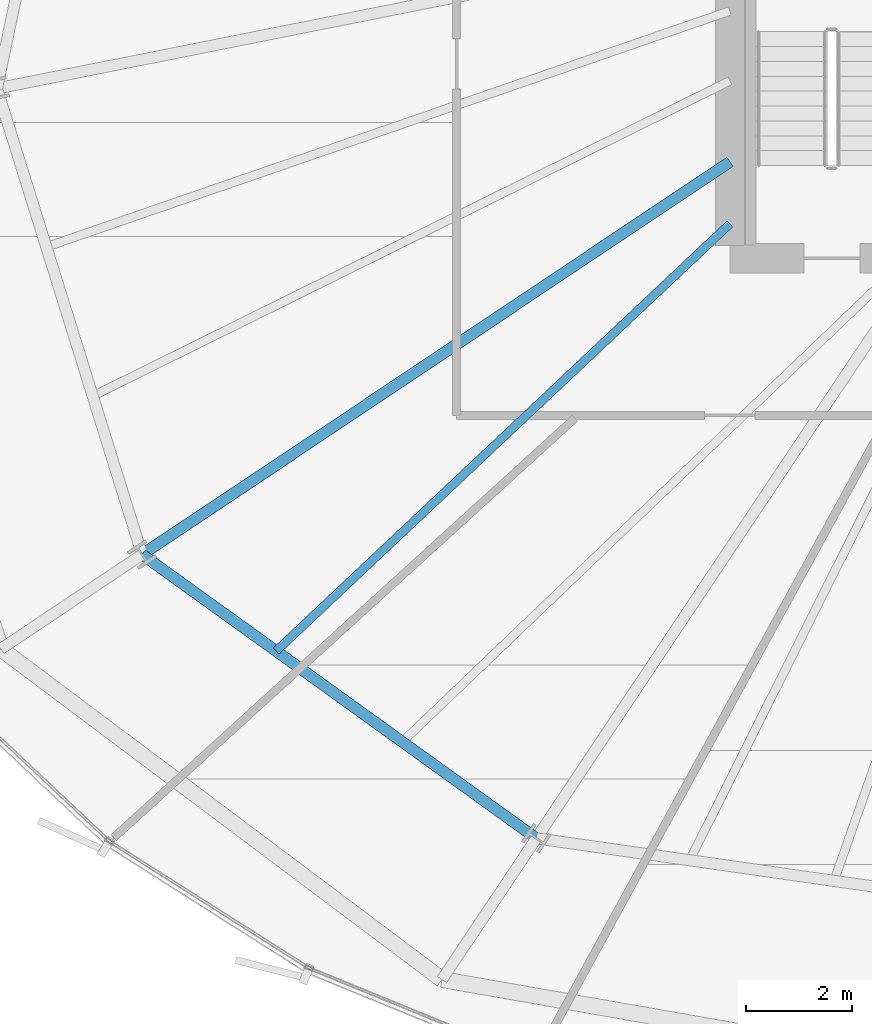
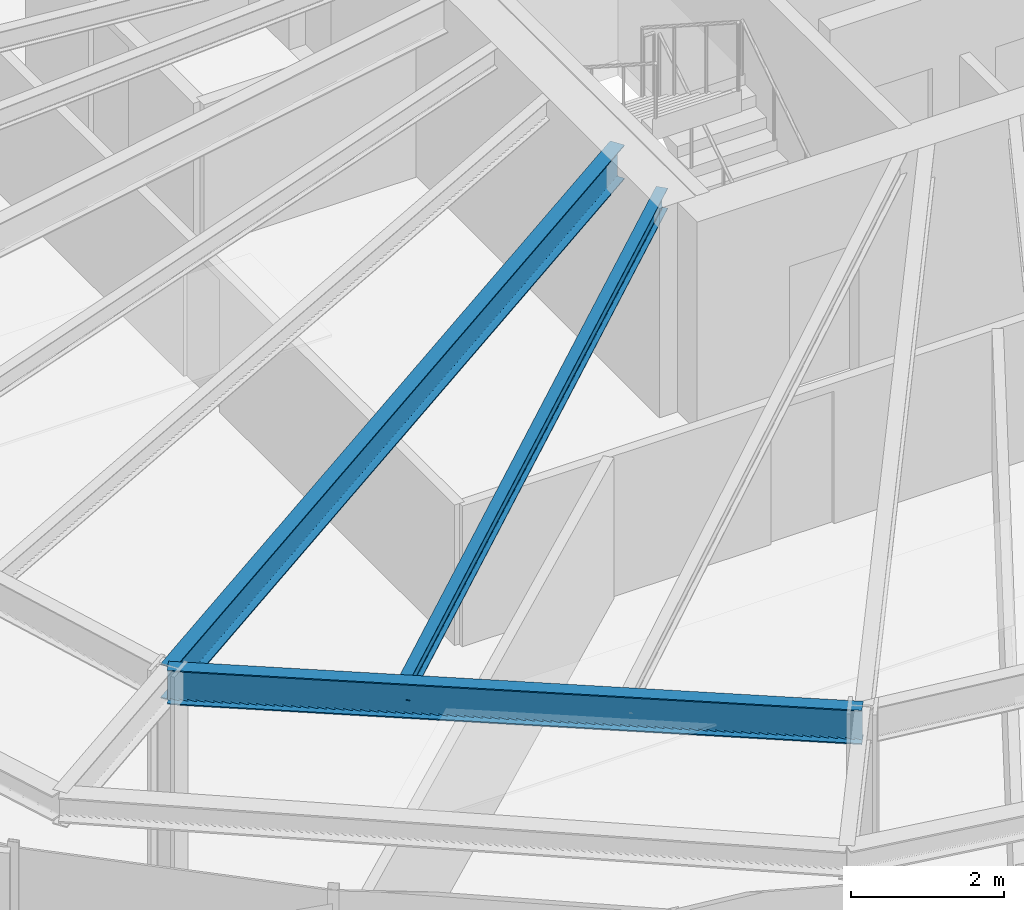
# One storey, part 4 of 35: 3 beams.
"""IFC4 building model written with IfcOpenShell, lengths in metres."""

from ifc_helpers import new_model, si_unit, direction, frame, origin, origin_2d, place, context, subcontext, project, spatial, i_section, extrude, source, transform, mapped, material, material_profile, profile_set, type_object, element, save


model = new_model("IFC4")

# Units and contexts
model_context = context("Model", 3, precision=1e-05, world=origin(), true_north=direction((0.0, 1.0)))
body_context = subcontext(model_context, "Body", "Model", "MODEL_VIEW")
ifc_project = project(units=[si_unit("LENGTHUNIT", "METRE"), si_unit("AREAUNIT", "SQUARE_METRE"), si_unit("VOLUMEUNIT", "CUBIC_METRE"), si_unit("PLANEANGLEUNIT", "RADIAN"), si_unit("MASSUNIT", "GRAM", prefix="KILO"), si_unit("THERMODYNAMICTEMPERATUREUNIT", "KELVIN")], contexts=[model_context])

# Site, building, storey
site_placement = place(None, origin())
site = spatial("IfcSite", under=ifc_project, at=site_placement, CompositionType="ELEMENT")
building_placement = place(site_placement, origin())
building = spatial("IfcBuilding", under=site, at=building_placement, Name="Kethvar Cultural Tower", CompositionType="ELEMENT")
storey_placement = place(building_placement, frame((0.0, 0.0, 103.60009765625)))
storey = spatial("IfcBuildingStorey", under=building, at=storey_placement, Name="L25", CompositionType="ELEMENT", Elevation=103.60009765625)

# Beams
ifc_material = material(Name="Steel S355J2", Category="steel")
ifc_material_profile_1 = material_profile(ifc_material, i_section(OverallWidth=0.2099609375, OverallDepth=0.550048828125, WebThickness=0.010986328125, FlangeThickness=0.01708984375, FilletRadius=0.02392578125, at=origin_2d()), Name="Steel S355J2 — IPE550")
ifc_profile_set_1 = profile_set([ifc_material_profile_1], Name="Steel S355J2 — IPE550")
beam_type_1 = type_object("IfcBeamType", Name="BM-IPE550", PredefinedType="BEAM", material=ifc_profile_set_1)
shared_shape_1 = source(origin(), body_context, "Body", "SweptSolid", [
    extrude(i_section(OverallWidth=0.2099609375, OverallDepth=0.550048828125, WebThickness=0.010986328125, FlangeThickness=0.01708984375, FilletRadius=0.02392578125, at=origin_2d()), origin(), (0.0, 0.0, 1.0), 13.324951171875),
])
beam_1_placement = place(storey_placement, frame((38.0, 21.919921875, 3.072998046875), z_axis=(-0.831474815475, -0.555562445843, 0.0), x_axis=(0.555562445843, -0.831474815475, 0.0)))
element("IfcBeam", 1, at=beam_1_placement, inside=storey, type_object=beam_type_1, Name="L25 Primary Radial Beam RB-10", PredefinedType="BEAM", context=body_context, shape_type="MappedRepresentation", body=[
    mapped(shared_shape_1, transform((0.0, 0.0, 0.0), scale=1.0)),
])
shared_shape_2 = source(origin(), body_context, "Body", "SweptSolid", [
    extrude(i_section(OverallWidth=0.2099609375, OverallDepth=0.550048828125, WebThickness=0.010986328125, FlangeThickness=0.01708984375, FilletRadius=0.02392578125, at=origin_2d()), origin(), (0.0, 0.0, 1.0), 9.155029296875),
])
beam_2_placement = place(storey_placement, frame((26.920654296875, 14.51708984375, 3.072998046875), z_axis=(0.811590987974, -0.584226042076, 0.0), x_axis=(0.584226042076, 0.811590987974, 0.0)))
element("IfcBeam", 2, at=beam_2_placement, inside=storey, type_object=beam_type_1, Name="L25 Column Ring Tie Beam CR-10", PredefinedType="BEAM", context=body_context, shape_type="MappedRepresentation", body=[
    mapped(shared_shape_2, transform((0.0, 0.0, 0.0), scale=1.0)),
])
ifc_material_profile_2 = material_profile(ifc_material, i_section(OverallWidth=0.159912109375, OverallDepth=0.330078125, WebThickness=0.007568359375, FlangeThickness=0.011474609375, FilletRadius=0.01806640625, at=origin_2d()), Name="Steel S355J2 — IPE330")
ifc_profile_set_2 = profile_set([ifc_material_profile_2], Name="Steel S355J2 — IPE330")
beam_type_2 = type_object("IfcBeamType", Name="BM-J330", PredefinedType="JOIST", material=ifc_profile_set_2)
shared_shape_3 = source(origin(), body_context, "Body", "SweptSolid", [
    extrude(i_section(OverallWidth=0.159912109375, OverallDepth=0.330078125, WebThickness=0.007568359375, FlangeThickness=0.011474609375, FilletRadius=0.01806640625, at=origin_2d()), origin(), (0.0, 0.0, 1.0), 11.74658203125),
])
beam_3_placement = place(storey_placement, frame((38.0, 20.75, 3.182861328125), z_axis=(-0.728129818661, -0.685439251266, 0.0), x_axis=(0.685439251266, -0.728129818661, 0.0)))
element("IfcBeam", 3, at=beam_3_placement, inside=storey, type_object=beam_type_2, Name="L25 Composite Floor Joist J-10A", PredefinedType="JOIST", context=body_context, shape_type="MappedRepresentation", body=[
    mapped(shared_shape_3, transform((0.0, 0.0, 0.0), scale=1.0)),
])

save(model, "model.ifc")
